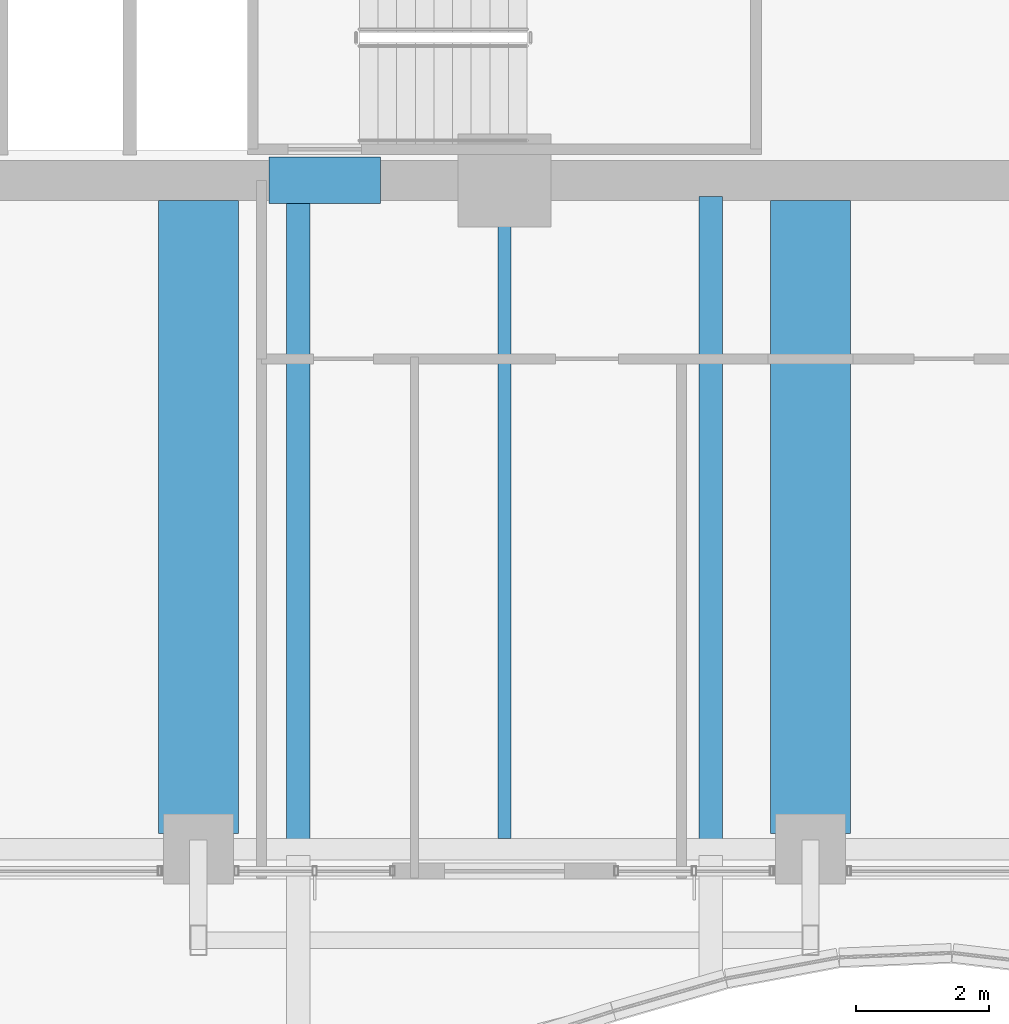
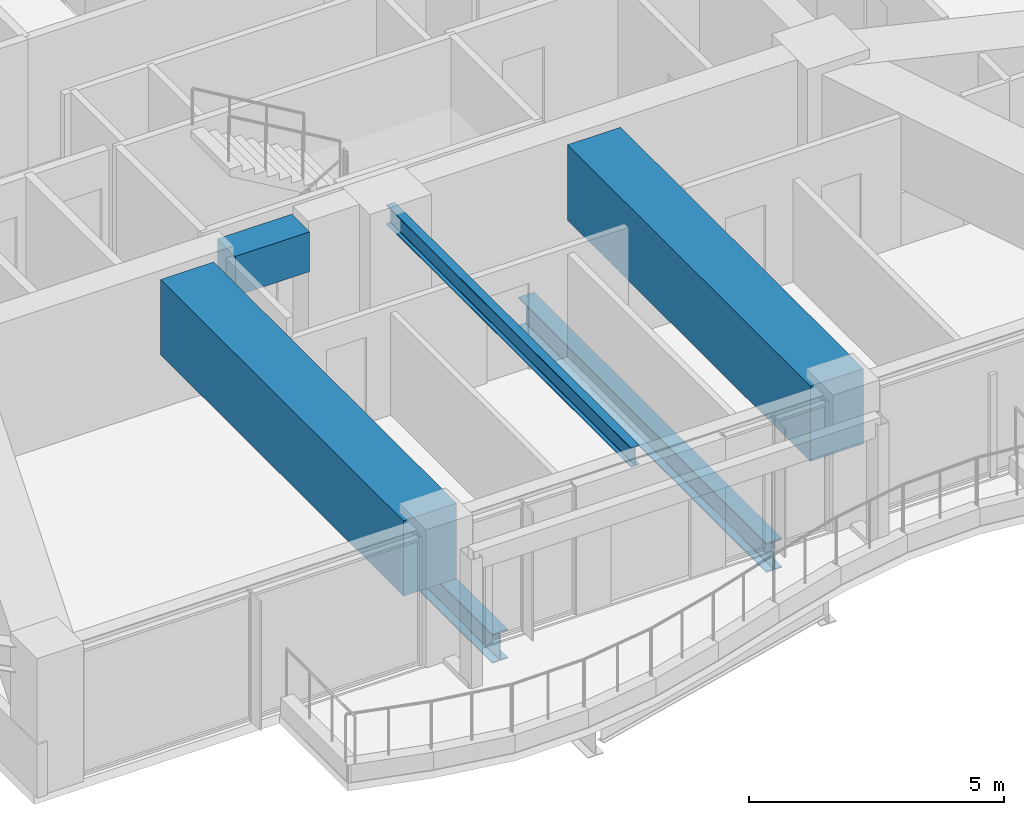
# One storey, part 7 of 39: 6 beams.
"""IFC4 building model written with IfcOpenShell, lengths in metres."""

from ifc_helpers import new_model, si_unit, direction, frame, origin, origin_2d, place, context, subcontext, project, spatial, rectangle, i_section, extrude, material, material_profile, profile_set, type_object, element, save


model = new_model("IFC4")

# Units and contexts
model_context = context("Model", 3, precision=1e-05, world=origin(), true_north=direction((0.0, 1.0)))
body_context = subcontext(model_context, "Body", "Model", "MODEL_VIEW")
ifc_project = project(units=[si_unit("LENGTHUNIT", "METRE"), si_unit("AREAUNIT", "SQUARE_METRE"), si_unit("VOLUMEUNIT", "CUBIC_METRE"), si_unit("PLANEANGLEUNIT", "RADIAN"), si_unit("MASSUNIT", "GRAM", prefix="KILO")], contexts=[model_context])

# Site, building, storey
site_placement = place(None, origin())
site = spatial("IfcSite", under=ifc_project, at=site_placement, CompositionType="ELEMENT")
building_placement = place(site_placement, origin())
building = spatial("IfcBuilding", under=site, at=building_placement, Name="Kolvaren Belvedere", CompositionType="ELEMENT")
storey_placement = place(building_placement, frame((0.0, 0.0, 85.39990234375)))
storey = spatial("IfcBuildingStorey", under=building, at=storey_placement, Name="L24", CompositionType="ELEMENT", Elevation=85.39990234375)

# Beams
ifc_material_1 = material(Name="Structural steel ASTM A992 Grade 50", Category="steel")
ifc_material_profile_1 = material_profile(ifc_material_1, i_section(OverallWidth=0.35498046875, OverallDepth=0.696044921875, WebThickness=0.015380859375, FlangeThickness=0.02490234375, FilletRadius=0.02197265625, at=origin_2d()), Name="W27X146")
ifc_profile_set_1 = profile_set([ifc_material_profile_1], Name="Structural steel ASTM A992 Grade 50")
beam_type_1 = type_object("IfcBeamType", Name="BM-GIRD-W27X146", PredefinedType="BEAM", material=ifc_profile_set_1)
for number, where, z_axis, x_axis, name in (
    (1, (-3.10009765625, -10.139892578125, -0.56787109375), (0.0, -1.0, 0.0), (1.0, 0.0, 0.0), "L24 Balcony Interior Back-Span Girder BAL-S-1"),
    (2, (3.10009765625, -10.139892578125, -0.56787109375), (0.0, -1.0, 0.0), (1.0, 0.0, 0.0), "L24 Balcony Interior Back-Span Girder BAL-S-2"),
):
    element("IfcBeam", number, at=place(storey_placement, frame(where, z_axis=z_axis, x_axis=x_axis)), inside=storey, type_object=beam_type_1, Name=name, PredefinedType="BEAM", context=body_context, shape_type="SweptSolid", body=[
        extrude(i_section(OverallWidth=0.35498046875, OverallDepth=0.696044921875, WebThickness=0.015380859375, FlangeThickness=0.02490234375, FilletRadius=0.02197265625, at=origin_2d()), origin(), (0.0, 0.0, 1.0), 9.715087890625),
    ])
ifc_material_2 = material(Name="Structural steel ASTM A992 Grade 50", Category="steel")
ifc_material_profile_2 = material_profile(ifc_material_2, i_section(OverallWidth=0.19091796875, OverallDepth=0.4599609375, WebThickness=0.010009765625, FlangeThickness=0.01611328125, FilletRadius=0.014892578125, at=origin_2d()), Name="W18X55")
ifc_profile_set_2 = profile_set([ifc_material_profile_2], Name="Structural steel ASTM A992 Grade 50")
beam_type_2 = type_object("IfcBeamType", Name="BM-JOIST-W18X55", PredefinedType="BEAM", material=ifc_profile_set_2)
beam_1_placement = place(storey_placement, frame((0.0, -10.199951171875, 2.85009765625), z_axis=(0.0, -1.0, 0.0), x_axis=(1.0, 0.0, 0.0)))
element("IfcBeam", 3, at=beam_1_placement, inside=storey, type_object=beam_type_2, Name="L24 South Centre Floor Beam", PredefinedType="BEAM", context=body_context, shape_type="SweptSolid", body=[
    extrude(i_section(OverallWidth=0.19091796875, OverallDepth=0.4599609375, WebThickness=0.010009765625, FlangeThickness=0.01611328125, FilletRadius=0.014892578125, at=origin_2d()), origin(), (0.0, 0.0, 1.0), 9.587646484375),
])
ifc_material_3 = material(Name="Concrete C60/75", Category="concrete")
ifc_material_profile_3 = material_profile(ifc_material_3, rectangle(XDim=0.699951171875, YDim=0.949951171875, at=origin_2d()), Name="RC 700X950")
ifc_profile_set_3 = profile_set([ifc_material_profile_3], Name="Concrete C60/75")
beam_type_3 = type_object("IfcBeamType", Name="BM-LINT-950", PredefinedType="LINTEL", material=ifc_profile_set_3)
beam_2_placement = place(storey_placement, frame((-3.5400390625, -9.89990234375, 2.60498046875), z_axis=(1.0, 0.0, 0.0), x_axis=(0.0, 1.0, 0.0)))
element("IfcBeam", 4, at=beam_2_placement, inside=storey, type_object=beam_type_3, Name="L24 South Core Coupling Lintel", PredefinedType="LINTEL", context=body_context, shape_type="SweptSolid", body=[
    extrude(rectangle(XDim=0.699951171875, YDim=0.949951171875, at=origin_2d()), origin(), (0.0, 0.0, 1.0), 1.679931640625),
])
ifc_material_4 = material(Name="Concrete C50/60", Category="concrete")
ifc_material_profile_4 = material_profile(ifc_material_4, rectangle(XDim=1.199951171875, YDim=1.800048828125, at=origin_2d()), Name="RC 1200X1800")
ifc_profile_set_4 = profile_set([ifc_material_profile_4], Name="Concrete C50/60")
beam_type_4 = type_object("IfcBeamType", Name="BM-TG-1800", PredefinedType="BEAM", material=ifc_profile_set_4)
for number, where, z_axis, x_axis, name in (
    (5, (4.60009765625, -10.199951171875, 2.18017578125), (0.0, -1.0, 0.0), (1.0, 0.0, 0.0), "L24 South Radial Girder P"),
    (6, (-4.60009765625, -10.199951171875, 2.18017578125), (0.0, -1.0, 0.0), (1.0, 0.0, 0.0), "L24 South Radial Girder M"),
):
    element("IfcBeam", number, at=place(storey_placement, frame(where, z_axis=z_axis, x_axis=x_axis)), inside=storey, type_object=beam_type_4, Name=name, PredefinedType="BEAM", context=body_context, shape_type="SweptSolid", body=[
        extrude(rectangle(XDim=1.199951171875, YDim=1.800048828125, at=origin_2d()), origin(), (0.0, 0.0, 1.0), 9.513916015625),
    ])

save(model, "model.ifc")
